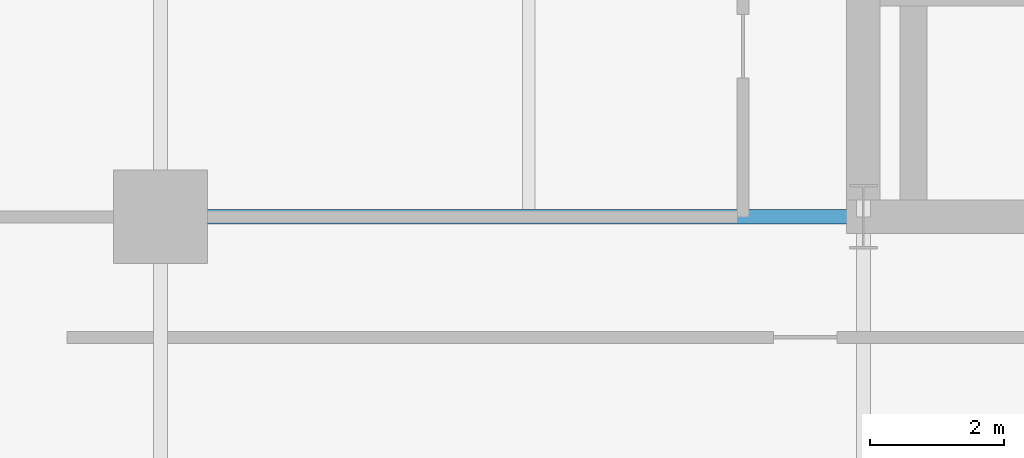
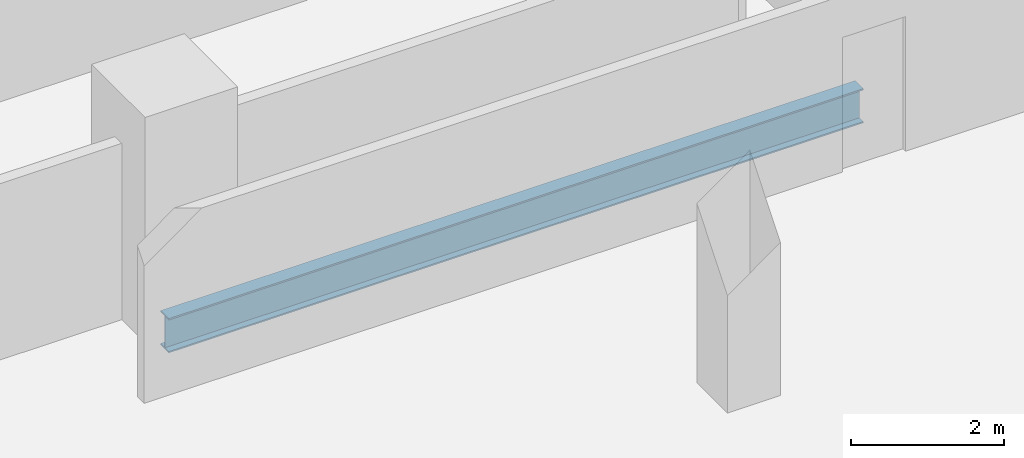
# One storey, part 7 of 26: 1 beam.
"""IFC4 building model written with IfcOpenShell, lengths in metres."""

from ifc_helpers import new_model, si_unit, direction, frame, origin, origin_2d, place, context, subcontext, project, spatial, i_section, extrude, material, material_profile, profile_set, type_object, element, save


model = new_model("IFC4")

# Units and contexts
model_context = context("Model", 3, precision=1e-05, world=origin(), true_north=direction((0.0, 1.0)))
body_context = subcontext(model_context, "Body", "Model", "MODEL_VIEW")
ifc_project = project(units=[si_unit("LENGTHUNIT", "METRE"), si_unit("AREAUNIT", "SQUARE_METRE"), si_unit("VOLUMEUNIT", "CUBIC_METRE"), si_unit("PLANEANGLEUNIT", "RADIAN"), si_unit("MASSUNIT", "GRAM", prefix="KILO")], contexts=[model_context])

# Site, building, storey
site_placement = place(None, origin())
site = spatial("IfcSite", under=ifc_project, at=site_placement, CompositionType="ELEMENT")
building_placement = place(site_placement, origin())
building = spatial("IfcBuilding", under=site, at=building_placement, Name="Barlavira Tower and Art Museum", CompositionType="ELEMENT")
storey_placement = place(building_placement, frame((0.0, 0.0, 82.800048828125)))
storey = spatial("IfcBuildingStorey", under=building, at=storey_placement, Name="L20", CompositionType="ELEMENT", Elevation=82.800048828125)

# Beam
ifc_material = material(Name="Steel S355", Category="steel")
ifc_material_profile = material_profile(ifc_material, i_section(OverallWidth=0.214111328125, OverallDepth=0.549072265625, WebThickness=0.0146484375, FlangeThickness=0.023681640625, at=origin_2d()), Name="W530x138.0")
ifc_profile_set = profile_set([ifc_material_profile], Name="Steel S355")
beam_type = type_object("IfcBeamType", Name="Zone 1 Primary Floor Girder W530x138 Steel S355", PredefinedType="BEAM", material=ifc_profile_set)
beam_placement = place(storey_placement, frame((-17.0, -7.5, -0.49462890625), z_axis=(1.0, 0.0, 0.0), x_axis=(0.0, 1.0, 0.0)))
element("IfcBeam", 1, at=beam_placement, inside=storey, type_object=beam_type, Name="L20 Girder R-W1", PredefinedType="BEAM", context=body_context, shape_type="SweptSolid", body=[
    extrude(i_section(OverallWidth=0.214111328125, OverallDepth=0.549072265625, WebThickness=0.0146484375, FlangeThickness=0.023681640625, at=origin_2d()), origin(), (0.0, 0.0, 1.0), 10.5),
])

save(model, "model.ifc")
